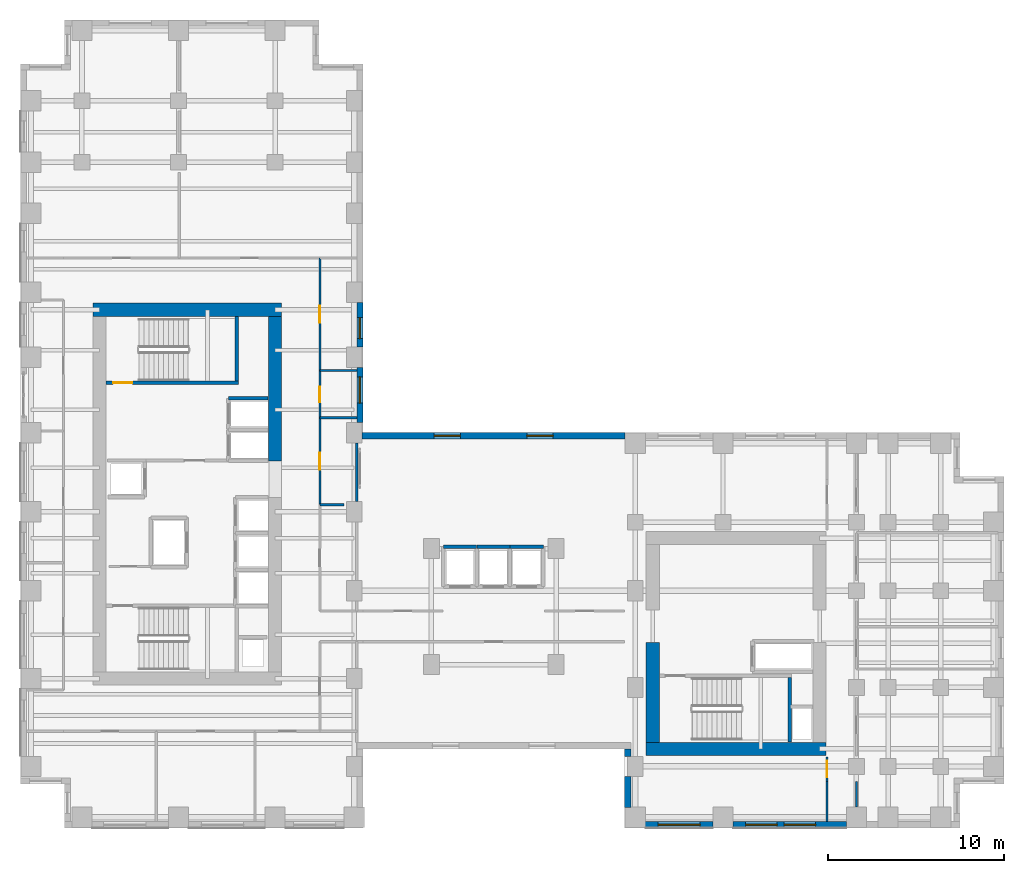
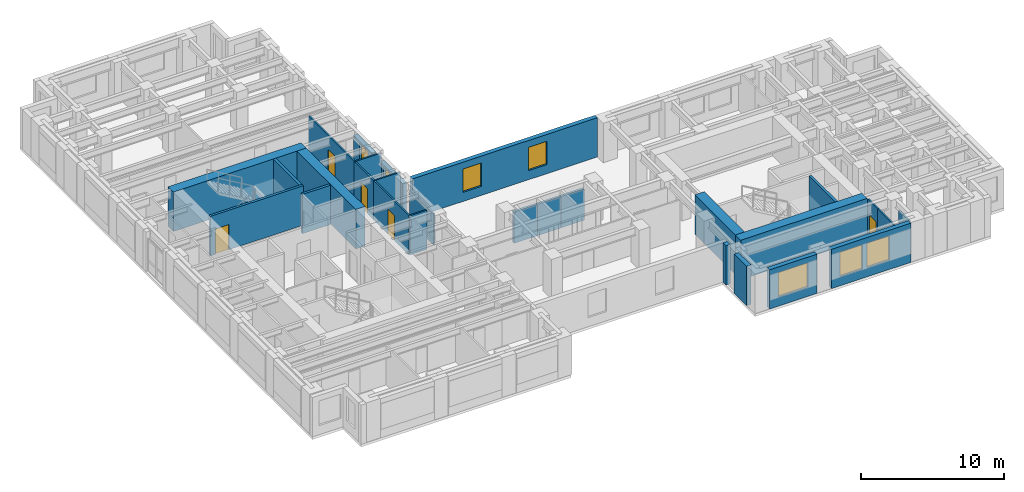
# One storey, part 9 of 14: 28 walls, 7 windows, 5 doors, 12 openings.
"""IFC4 building model written with IfcOpenShell, lengths in metres."""

from ifc_helpers import new_model, si_unit, direction, frame, frame_2d, origin, place, context, subcontext, project, spatial, rectangle, extrude, source, transform, mapped, material, layer, layer_set, type_object, element, fill, save


model = new_model("IFC4")

# Units and contexts
model_context = context("Model", 3, precision=1e-05, world=origin(), true_north=direction((0.0, 1.0)))
body_context = subcontext(model_context, "Body", "Model", "MODEL_VIEW")
ifc_project = project(units=[si_unit("LENGTHUNIT", "METRE"), si_unit("AREAUNIT", "SQUARE_METRE"), si_unit("VOLUMEUNIT", "CUBIC_METRE"), si_unit("PLANEANGLEUNIT", "RADIAN"), si_unit("MASSUNIT", "GRAM", prefix="KILO")], contexts=[model_context])

# Site, building, storey
site_placement = place(None, origin())
site = spatial("IfcSite", under=ifc_project, at=site_placement, CompositionType="ELEMENT")
building_placement = place(site_placement, origin())
building = spatial("IfcBuilding", under=site, at=building_placement, Name="Kharzan Plaza Tower", CompositionType="ELEMENT")
storey_placement = place(building_placement, frame((0.0, 0.0, 81.0)))
storey = spatial("IfcBuildingStorey", under=building, at=storey_placement, Name="L21", CompositionType="ELEMENT", Elevation=81.0)

# Wall, opening, window
ifc_material_1 = material(Name="Concrete C40/50", Category="concrete")
ifc_layer_1 = layer(ifc_material_1, 0.35009765625)
ifc_layer_set_1 = layer_set([ifc_layer_1], Name="Concrete C40/50")
wall_type_1 = type_object("IfcWallType", Name="WL-EXT-MAS-Z2", PredefinedType="SOLIDWALL", material=ifc_layer_set_1)
wall_1_placement = place(storey_placement, frame((35.572998046875, 0.175048828125, 0.0), z_axis=(0.0, 0.0, 1.0), x_axis=(1.0, 0.0, 0.0)))
wall_1 = element("IfcWall", 1, at=wall_1_placement, inside=storey, type_object=wall_type_1, Name="L21 Masonry-Frame Exterior Wall 31", PredefinedType="SOLIDWALL", context=body_context, shape_type="SweptSolid", body=[
    extrude(rectangle(XDim=3.85400390625, YDim=0.35009765625, at=frame_2d((1.927001953125, 0.0))), origin(), (0.0, 0.0, 1.0), 3.364990234375),
])
opening_1_placement = place(wall_1_placement, frame((0.72705078125, 0.0, 0.780029296875)))
opening_1 = element("IfcOpeningElement", 2, at=opening_1_placement, cuts=wall_1, Name="Opening W2", PredefinedType="OPENING", context=body_context, shape_type="SweptSolid", body=[
    extrude(rectangle(XDim=2.39990234375, YDim=2.10009765625, at=frame_2d((1.199951171875, 1.050048828125))), frame((0.0, 0.18505859375, 0.0), z_axis=(0.0, -1.0, 0.0), x_axis=(1.0, 0.0, 0.0)), (0.0, 0.0, 1.0), 0.3701171875),
])
ifc_material_2 = material(Name="Low-E Double Glazing", Category="glass")
window_type_1 = type_object("IfcWindowType", Name="WN-REC-2400x2100", PartitioningType="SINGLE_PANEL", PredefinedType="WINDOW", material=ifc_material_2)
shared_shape_1 = source(origin(), body_context, "Body", "SweptSolid", [
    extrude(rectangle(XDim=2.39990234375, YDim=2.10009765625, at=frame_2d((1.199951171875, 1.050048828125))), frame((0.0, 0.030029296875, 0.0), z_axis=(0.0, -1.0, 0.0), x_axis=(1.0, 0.0, 0.0)), (0.0, 0.0, 1.0), 0.06005859375),
])
window_1_placement = place(opening_1_placement, origin())
window_1 = element("IfcWindow", 3, at=window_1_placement, inside=storey, type_object=window_type_1, Name="L21 Wide Recessed Solar-Control Window 31-1", OverallHeight=2.10009765625, OverallWidth=2.39990234375, PartitioningType="SINGLE_PANEL", PredefinedType="WINDOW", context=body_context, shape_type="MappedRepresentation", body=[
    mapped(shared_shape_1, transform((0.0, 0.0, 0.0), x_axis=(1.0, 0.0, 0.0), y_axis=(0.0, 1.0, 0.0), z_axis=(0.0, 0.0, 1.0))),
])
fill(opening_1, window_1)

# Wall, openings, windows
wall_2_placement = place(storey_placement, frame((40.572998046875, 0.175048828125, 0.0), z_axis=(0.0, 0.0, 1.0), x_axis=(1.0, 0.0, 0.0)))
wall_2 = element("IfcWall", 4, at=wall_2_placement, inside=storey, type_object=wall_type_1, Name="L21 Masonry-Frame Exterior Wall 32", PredefinedType="SOLIDWALL", context=body_context, shape_type="SweptSolid", body=[
    extrude(rectangle(XDim=6.4541015625, YDim=0.35009765625, at=frame_2d((3.22705078125, 0.0))), origin(), (0.0, 0.0, 1.0), 3.364990234375),
])
opening_2_placement = place(wall_2_placement, frame((0.71240234375, 0.0, 0.780029296875)))
opening_2 = element("IfcOpeningElement", 5, at=opening_2_placement, cuts=wall_2, Name="Opening W1", PredefinedType="OPENING", context=body_context, shape_type="SweptSolid", body=[
    extrude(rectangle(XDim=1.800048828125, YDim=2.10009765625, at=frame_2d((0.89990234375, 1.050048828125))), frame((0.0, 0.18505859375, 0.0), z_axis=(0.0, -1.0, 0.0), x_axis=(1.0, 0.0, 0.0)), (0.0, 0.0, 1.0), 0.3701171875),
])
opening_3_placement = place(wall_2_placement, frame((2.90478515625, 0.0, 0.780029296875)))
opening_3 = element("IfcOpeningElement", 6, at=opening_3_placement, cuts=wall_2, Name="Opening W1", PredefinedType="OPENING", context=body_context, shape_type="SweptSolid", body=[
    extrude(rectangle(XDim=1.800048828125, YDim=2.10009765625, at=frame_2d((0.89990234375, 1.050048828125))), frame((0.0, 0.18505859375, 0.0), z_axis=(0.0, -1.0, 0.0), x_axis=(1.0, 0.0, 0.0)), (0.0, 0.0, 1.0), 0.3701171875),
])
window_type_2 = type_object("IfcWindowType", Name="WN-REC-1800x2100", PartitioningType="SINGLE_PANEL", PredefinedType="WINDOW", material=ifc_material_2)
shared_shape_2 = source(origin(), body_context, "Body", "SweptSolid", [
    extrude(rectangle(XDim=1.800048828125, YDim=2.10009765625, at=frame_2d((0.89990234375, 1.050048828125))), frame((0.0, 0.030029296875, 0.0), z_axis=(0.0, -1.0, 0.0), x_axis=(1.0, 0.0, 0.0)), (0.0, 0.0, 1.0), 0.06005859375),
])
window_2_placement = place(opening_2_placement, origin())
window_2 = element("IfcWindow", 7, at=window_2_placement, inside=storey, type_object=window_type_2, Name="L21 Recessed Solar-Control Window 32-1", OverallHeight=2.10009765625, OverallWidth=1.800048828125, PartitioningType="SINGLE_PANEL", PredefinedType="WINDOW", context=body_context, shape_type="MappedRepresentation", body=[
    mapped(shared_shape_2, transform((0.0, 0.0, 0.0), x_axis=(1.0, 0.0, 0.0), y_axis=(0.0, 1.0, 0.0), z_axis=(0.0, 0.0, 1.0))),
])
fill(opening_2, window_2)
window_3_placement = place(opening_3_placement, origin())
window_3 = element("IfcWindow", 8, at=window_3_placement, inside=storey, type_object=window_type_2, Name="L21 Recessed Solar-Control Window 32-2", OverallHeight=2.10009765625, OverallWidth=1.800048828125, PartitioningType="SINGLE_PANEL", PredefinedType="WINDOW", context=body_context, shape_type="MappedRepresentation", body=[
    mapped(shared_shape_2, transform((0.0, 0.0, 0.0), x_axis=(1.0, 0.0, 0.0), y_axis=(0.0, 1.0, 0.0), z_axis=(0.0, 0.0, 1.0))),
])
fill(opening_3, window_3)

wall_3_placement = place(storey_placement, frame((34.427001953125, 22.324951171875, 0.0), z_axis=(0.0, 0.0, 1.0), x_axis=(-1.0, 0.0, 0.0)))
wall_3 = element("IfcWall", 9, at=wall_3_placement, inside=storey, type_object=wall_type_1, Name="L21 Masonry-Frame Exterior Wall 49", PredefinedType="SOLIDWALL", context=body_context, shape_type="SweptSolid", body=[
    extrude(rectangle(XDim=14.97900390625, YDim=0.35009765625, at=frame_2d((7.489501953125, 0.0))), origin(), (0.0, 0.0, 1.0), 3.364990234375),
])
opening_4_placement = place(wall_3_placement, frame((4.099609375, 0.0, 0.780029296875)))
opening_4 = element("IfcOpeningElement", 10, at=opening_4_placement, cuts=wall_3, Name="Opening W5", PredefinedType="OPENING", context=body_context, shape_type="SweptSolid", body=[
    extrude(rectangle(XDim=1.5, YDim=2.0, at=frame_2d((0.75, 1.0))), frame((0.0, 0.18505859375, 0.0), z_axis=(0.0, -1.0, 0.0), x_axis=(1.0, 0.0, 0.0)), (0.0, 0.0, 1.0), 0.3701171875),
])
opening_5_placement = place(wall_3_placement, frame((9.37939453125, 0.0, 0.780029296875)))
opening_5 = element("IfcOpeningElement", 11, at=opening_5_placement, cuts=wall_3, Name="Opening W5", PredefinedType="OPENING", context=body_context, shape_type="SweptSolid", body=[
    extrude(rectangle(XDim=1.5, YDim=2.0, at=frame_2d((0.75, 1.0))), frame((0.0, 0.18505859375, 0.0), z_axis=(0.0, -1.0, 0.0), x_axis=(1.0, 0.0, 0.0)), (0.0, 0.0, 1.0), 0.3701171875),
])
window_type_3 = type_object("IfcWindowType", Name="WN-SLT-1500x2000", PartitioningType="SINGLE_PANEL", PredefinedType="WINDOW", material=ifc_material_2)
shared_shape_3 = source(origin(), body_context, "Body", "SweptSolid", [
    extrude(rectangle(XDim=1.5, YDim=2.0, at=frame_2d((0.75, 1.0))), frame((0.0, 0.030029296875, 0.0), z_axis=(0.0, -1.0, 0.0), x_axis=(1.0, 0.0, 0.0)), (0.0, 0.0, 1.0), 0.06005859375),
])
window_4_placement = place(opening_4_placement, origin())
window_4 = element("IfcWindow", 12, at=window_4_placement, inside=storey, type_object=window_type_3, Name="L21 Recessed Solar-Control Window 49-1", OverallHeight=2.0, OverallWidth=1.5, PartitioningType="SINGLE_PANEL", PredefinedType="WINDOW", context=body_context, shape_type="MappedRepresentation", body=[
    mapped(shared_shape_3, transform((0.0, 0.0, 0.0), x_axis=(1.0, 0.0, 0.0), y_axis=(0.0, 1.0, 0.0), z_axis=(0.0, 0.0, 1.0))),
])
fill(opening_4, window_4)
window_5_placement = place(opening_5_placement, origin())
window_5 = element("IfcWindow", 13, at=window_5_placement, inside=storey, type_object=window_type_3, Name="L21 Recessed Solar-Control Window 49-2", OverallHeight=2.0, OverallWidth=1.5, PartitioningType="SINGLE_PANEL", PredefinedType="WINDOW", context=body_context, shape_type="MappedRepresentation", body=[
    mapped(shared_shape_3, transform((0.0, 0.0, 0.0), x_axis=(1.0, 0.0, 0.0), y_axis=(0.0, 1.0, 0.0), z_axis=(0.0, 0.0, 1.0))),
])
fill(opening_5, window_5)

# Wall, opening, window
wall_4_placement = place(storey_placement, frame((19.324951171875, 23.072998046875, 0.0), z_axis=(0.0, 0.0, 1.0), x_axis=(0.0, 1.0, 0.0)))
wall_4 = element("IfcWall", 14, at=wall_4_placement, inside=storey, type_object=wall_type_1, Name="L21 Masonry-Frame Exterior Wall 50", PredefinedType="SOLIDWALL", context=body_context, shape_type="SweptSolid", body=[
    extrude(rectangle(XDim=3.154052734375, YDim=0.35009765625, at=frame_2d((1.5771484375, 0.0))), origin(), (0.0, 0.0, 1.0), 2.51904296875),
])
opening_6_placement = place(wall_4_placement, frame((1.10546875, 0.0, 0.780029296875)))
opening_6 = element("IfcOpeningElement", 15, at=opening_6_placement, cuts=wall_4, Name="Opening W5", PredefinedType="OPENING", context=body_context, shape_type="SweptSolid", body=[
    extrude(rectangle(XDim=1.5, YDim=1.55908203125, at=frame_2d((0.75, 0.779541015625))), frame((0.0, 0.18505859375, 0.0), z_axis=(0.0, -1.0, 0.0), x_axis=(1.0, 0.0, 0.0)), (0.0, 0.0, 1.0), 0.3701171875),
])
shared_shape_4 = source(origin(), body_context, "Body", "SweptSolid", [
    extrude(rectangle(XDim=1.5, YDim=1.55908203125, at=frame_2d((0.75, 0.779541015625))), frame((0.0, 0.030029296875, 0.0), z_axis=(0.0, -1.0, 0.0), x_axis=(1.0, 0.0, 0.0)), (0.0, 0.0, 1.0), 0.06005859375),
])
window_6_placement = place(opening_6_placement, origin())
window_6 = element("IfcWindow", 16, at=window_6_placement, inside=storey, type_object=window_type_3, Name="L21 Recessed Solar-Control Window 50-1", OverallHeight=1.55908203125, OverallWidth=1.5, PartitioningType="SINGLE_PANEL", PredefinedType="WINDOW", context=body_context, shape_type="MappedRepresentation", body=[
    mapped(shared_shape_4, transform((0.0, 0.0, 0.0), x_axis=(1.0, 0.0, 0.0), y_axis=(0.0, 1.0, 0.0), z_axis=(0.0, 0.0, 1.0))),
])
fill(opening_6, window_6)

wall_5_placement = place(storey_placement, frame((19.324951171875, 27.373046875, 0.0), z_axis=(0.0, 0.0, 1.0), x_axis=(0.0, 1.0, 0.0)))
wall_5 = element("IfcWall", 17, at=wall_5_placement, inside=storey, type_object=wall_type_1, Name="L21 Masonry-Frame Exterior Wall 51", PredefinedType="SOLIDWALL", context=body_context, shape_type="SweptSolid", body=[
    extrude(rectangle(XDim=2.553955078125, YDim=0.35009765625, at=frame_2d((1.27685546875, 0.0))), origin(), (0.0, 0.0, 1.0), 2.51904296875),
])
opening_7_placement = place(wall_5_placement, frame((0.47998046875, 0.0, 0.780029296875)))
opening_7 = element("IfcOpeningElement", 18, at=opening_7_placement, cuts=wall_5, Name="Opening W3", PredefinedType="OPENING", context=body_context, shape_type="SweptSolid", body=[
    extrude(rectangle(XDim=1.199951171875, YDim=1.55908203125, at=frame_2d((0.60009765625, 0.779541015625))), frame((0.0, 0.18505859375, 0.0), z_axis=(0.0, -1.0, 0.0), x_axis=(1.0, 0.0, 0.0)), (0.0, 0.0, 1.0), 0.3701171875),
])
window_type_4 = type_object("IfcWindowType", Name="WN-REC-1200x2100", PartitioningType="SINGLE_PANEL", PredefinedType="WINDOW", material=ifc_material_2)
shared_shape_5 = source(origin(), body_context, "Body", "SweptSolid", [
    extrude(rectangle(XDim=1.199951171875, YDim=1.55908203125, at=frame_2d((0.60009765625, 0.779541015625))), frame((0.0, 0.030029296875, 0.0), z_axis=(0.0, -1.0, 0.0), x_axis=(1.0, 0.0, 0.0)), (0.0, 0.0, 1.0), 0.06005859375),
])
window_7_placement = place(opening_7_placement, origin())
window_7 = element("IfcWindow", 19, at=window_7_placement, inside=storey, type_object=window_type_4, Name="L21 Recessed Solar-Control Window 51-1", OverallHeight=1.55908203125, OverallWidth=1.199951171875, PartitioningType="SINGLE_PANEL", PredefinedType="WINDOW", context=body_context, shape_type="MappedRepresentation", body=[
    mapped(shared_shape_5, transform((0.0, 0.0, 0.0), x_axis=(1.0, 0.0, 0.0), y_axis=(0.0, 1.0, 0.0), z_axis=(0.0, 0.0, 1.0))),
])
fill(opening_7, window_7)

# Wall, opening, door
ifc_material_3 = material(Name="Fire-Rated Gypsum Board Partition", Category="gypsum")
ifc_layer_2 = layer(ifc_material_3, 0.125)
ifc_layer_set_2 = layer_set([ifc_layer_2], Name="Fire-Rated Gypsum Board Partition")
wall_type_2 = type_object("IfcWallType", Name="WL-INT-PART-125", PredefinedType="PARTITIONING", material=ifc_layer_set_2)
wall_6_placement = place(storey_placement, frame((17.050048828125, 18.39990234375, 0.0), z_axis=(0.0, 0.0, 1.0), x_axis=(0.0, 1.0, 0.0)))
wall_6 = element("IfcWall", 20, at=wall_6_placement, inside=storey, type_object=wall_type_2, Name="L21 Interior Partition SH-AEWN2", PredefinedType="PARTITIONING", context=body_context, shape_type="SweptSolid", body=[
    extrude(rectangle(XDim=4.9501953125, YDim=0.125, at=frame_2d((2.47509765625, 0.0))), origin(), (0.0, 0.0, 1.0), 3.364990234375),
])
opening_8_placement = place(wall_6_placement, frame((2.0, 0.0, 0.0)))
opening_8 = element("IfcOpeningElement", 21, at=opening_8_placement, cuts=wall_6, Name="Opening OD1", PredefinedType="OPENING", context=body_context, shape_type="SweptSolid", body=[
    extrude(rectangle(XDim=0.949951171875, YDim=2.14990234375, at=frame_2d((0.47509765625, 1.074951171875))), frame((0.0, 0.072509765625, 0.0), z_axis=(0.0, -1.0, 0.0), x_axis=(1.0, 0.0, 0.0)), (0.0, 0.0, 1.0), 0.14501953125),
])
ifc_material_4 = material(Name="Acoustic Solid-Core Stained Oak", Category="timber")
door_type_1 = type_object("IfcDoorType", Name="DR-OFF-SINGLE", OperationType="NOTDEFINED", PredefinedType="DOOR", material=ifc_material_4)
shared_shape_6 = source(origin(), body_context, "Body", "SweptSolid", [
    extrude(rectangle(XDim=0.949951171875, YDim=2.14990234375, at=frame_2d((0.47509765625, 1.074951171875))), frame((0.0, 0.02490234375, 0.0), z_axis=(0.0, -1.0, 0.0), x_axis=(1.0, 0.0, 0.0)), (0.0, 0.0, 1.0), 0.050048828125),
])
door_1_placement = place(opening_8_placement, origin())
door_1 = element("IfcDoor", 22, at=door_1_placement, inside=storey, type_object=door_type_1, Name="L21 Slot Studio Door", OperationType="SINGLE_SWING_RIGHT", OverallHeight=2.14990234375, OverallWidth=0.949951171875, PredefinedType="DOOR", context=body_context, shape_type="MappedRepresentation", body=[
    mapped(shared_shape_6, transform((0.0, 0.0, 0.0), x_axis=(1.0, 0.0, 0.0), y_axis=(0.0, 1.0, 0.0), z_axis=(0.0, 0.0, 1.0))),
])
fill(opening_8, door_1)

wall_7_placement = place(storey_placement, frame((17.050048828125, 26.050048828125, 0.0), z_axis=(0.0, 0.0, 1.0), x_axis=(0.0, 1.0, 0.0)))
wall_7 = element("IfcWall", 23, at=wall_7_placement, inside=storey, type_object=wall_type_2, Name="L21 Interior Partition SH-AEWN3", PredefinedType="PARTITIONING", context=body_context, shape_type="SweptSolid", body=[
    extrude(rectangle(XDim=6.39990234375, YDim=0.125, at=frame_2d((3.199951171875, 0.0))), origin(), (0.0, 0.0, 1.0), 3.364990234375),
])
opening_9_placement = place(wall_7_placement, frame((2.72509765625, 0.0, 0.0)))
opening_9 = element("IfcOpeningElement", 24, at=opening_9_placement, cuts=wall_7, Name="Opening OD1", PredefinedType="OPENING", context=body_context, shape_type="SweptSolid", body=[
    extrude(rectangle(XDim=0.949951171875, YDim=2.14990234375, at=frame_2d((0.47509765625, 1.074951171875))), frame((0.0, 0.072509765625, 0.0), z_axis=(0.0, -1.0, 0.0), x_axis=(1.0, 0.0, 0.0)), (0.0, 0.0, 1.0), 0.14501953125),
])
door_2_placement = place(opening_9_placement, origin())
door_2 = element("IfcDoor", 25, at=door_2_placement, inside=storey, type_object=door_type_1, Name="L21 Staff Tea Point Door", OperationType="SINGLE_SWING_RIGHT", OverallHeight=2.14990234375, OverallWidth=0.949951171875, PredefinedType="DOOR", context=body_context, shape_type="MappedRepresentation", body=[
    mapped(shared_shape_6, transform((0.0, 0.0, 0.0), x_axis=(1.0, 0.0, 0.0), y_axis=(0.0, 1.0, 0.0), z_axis=(0.0, 0.0, 1.0))),
])
fill(opening_9, door_2)

wall_8_placement = place(storey_placement, frame((17.050048828125, 23.35009765625, 0.0), z_axis=(0.0, 0.0, 1.0), x_axis=(0.0, 1.0, 0.0)))
wall_8 = element("IfcWall", 26, at=wall_8_placement, inside=storey, type_object=wall_type_2, Name="L21 Interior Partition SH-AEWW", PredefinedType="PARTITIONING", context=body_context, shape_type="SweptSolid", body=[
    extrude(rectangle(XDim=2.699951171875, YDim=0.125, at=frame_2d((1.35009765625, 0.0))), origin(), (0.0, 0.0, 1.0), 3.364990234375),
])
opening_10_placement = place(wall_8_placement, frame((0.875, 0.0, 0.0)))
opening_10 = element("IfcOpeningElement", 27, at=opening_10_placement, cuts=wall_8, Name="Opening WD1", PredefinedType="OPENING", context=body_context, shape_type="SweptSolid", body=[
    extrude(rectangle(XDim=0.89990234375, YDim=2.14990234375, at=frame_2d((0.449951171875, 1.074951171875))), frame((0.0, 0.072509765625, 0.0), z_axis=(0.0, -1.0, 0.0), x_axis=(1.0, 0.0, 0.0)), (0.0, 0.0, 1.0), 0.14501953125),
])
ifc_material_5 = material(Name="Moisture-Resistant Fire-Rated Laminate", Category="timber")
door_type_2 = type_object("IfcDoorType", Name="DR-WC-900", OperationType="NOTDEFINED", PredefinedType="DOOR", material=ifc_material_5)
shared_shape_7 = source(origin(), body_context, "Body", "SweptSolid", [
    extrude(rectangle(XDim=0.89990234375, YDim=2.14990234375, at=frame_2d((0.449951171875, 1.074951171875))), frame((0.0, 0.02490234375, 0.0), z_axis=(0.0, -1.0, 0.0), x_axis=(1.0, 0.0, 0.0)), (0.0, 0.0, 1.0), 0.050048828125),
])
door_3_placement = place(opening_10_placement, origin())
door_3 = element("IfcDoor", 28, at=door_3_placement, inside=storey, type_object=door_type_2, Name="L21 Wing A Washroom Door", OperationType="SINGLE_SWING_LEFT", OverallHeight=2.14990234375, OverallWidth=0.89990234375, PredefinedType="DOOR", context=body_context, shape_type="MappedRepresentation", body=[
    mapped(shared_shape_7, transform((0.0, 0.0, 0.0), x_axis=(1.0, 0.0, 0.0), y_axis=(0.0, 1.0, 0.0), z_axis=(0.0, 0.0, 1.0))),
])
fill(opening_10, door_3)

wall_9_placement = place(storey_placement, frame((45.919921875, 2.64990234375, 0.0), z_axis=(0.0, 0.0, 1.0), x_axis=(0.0, 1.0, 0.0)))
wall_9 = element("IfcWall", 29, at=wall_9_placement, inside=storey, type_object=wall_type_2, Name="L21 Interior Partition SH-RBSE", PredefinedType="PARTITIONING", context=body_context, shape_type="SweptSolid", body=[
    extrude(rectangle(XDim=1.400146484375, YDim=0.125, at=frame_2d((0.7001953125, 0.0))), origin(), (0.0, 0.0, 1.0), 3.364990234375),
])
opening_11_placement = place(wall_9_placement, frame((0.22509765625, 0.0, 0.0)))
opening_11 = element("IfcOpeningElement", 30, at=opening_11_placement, cuts=wall_9, Name="Opening OD1", PredefinedType="OPENING", context=body_context, shape_type="SweptSolid", body=[
    extrude(rectangle(XDim=0.949951171875, YDim=2.14990234375, at=frame_2d((0.47509765625, 1.074951171875))), frame((0.0, 0.072509765625, 0.0), z_axis=(0.0, -1.0, 0.0), x_axis=(1.0, 0.0, 0.0)), (0.0, 0.0, 1.0), 0.14501953125),
])
door_4_placement = place(opening_11_placement, origin())
door_4 = element("IfcDoor", 31, at=door_4_placement, inside=storey, type_object=door_type_1, Name="L21 South-East Corner Office Door", OperationType="SINGLE_SWING_RIGHT", OverallHeight=2.14990234375, OverallWidth=0.949951171875, PredefinedType="DOOR", context=body_context, shape_type="MappedRepresentation", body=[
    mapped(shared_shape_6, transform((0.0, 0.0, 0.0), x_axis=(1.0, 0.0, 0.0), y_axis=(0.0, 1.0, 0.0), z_axis=(0.0, 0.0, 1.0))),
])
fill(opening_11, door_4)

ifc_material_6 = material(Name="Concrete C50/60", Category="concrete")
ifc_layer_3 = layer(ifc_material_6, 0.199951171875)
ifc_layer_set_3 = layer_set([ifc_layer_3], Name="Concrete C50/60")
wall_type_3 = type_object("IfcWallType", Name="WL-SHAFT-RC200", PredefinedType="SHEAR", material=ifc_layer_set_3)
wall_10_placement = place(storey_placement, frame((4.876953125, 25.344970703125, 0.0), z_axis=(0.0, 0.0, 1.0), x_axis=(1.0, 0.0, 0.0)))
wall_10 = element("IfcWall", 32, at=wall_10_placement, inside=storey, type_object=wall_type_3, Name="L21 Stair ST-2 South RC Shaft Wall", PredefinedType="SHEAR", context=body_context, shape_type="SweptSolid", body=[
    extrude(rectangle(XDim=7.528076171875, YDim=0.199951171875, at=frame_2d((3.76416015625, 0.0))), origin(), (0.0, 0.0, 1.0), 3.3798828125),
])
opening_12_placement = place(wall_10_placement, frame((0.39990234375, 0.0, 0.0)))
opening_12 = element("IfcOpeningElement", 33, at=opening_12_placement, cuts=wall_10, Name="Opening SD1", PredefinedType="OPENING", context=body_context, shape_type="SweptSolid", body=[
    extrude(rectangle(XDim=1.10009765625, YDim=2.14990234375, at=frame_2d((0.550048828125, 1.074951171875))), frame((0.0, 0.10986328125, 0.0), z_axis=(0.0, -1.0, 0.0), x_axis=(1.0, 0.0, 0.0)), (0.0, 0.0, 1.0), 0.219970703125),
])
ifc_material_7 = material(Name="Fire-Rated Hollow Galvanized Steel", Category="steel")
door_type_3 = type_object("IfcDoorType", Name="DR-STAIR-FD120", OperationType="NOTDEFINED", PredefinedType="DOOR", material=ifc_material_7)
shared_shape_8 = source(origin(), body_context, "Body", "SweptSolid", [
    extrude(rectangle(XDim=1.10009765625, YDim=2.14990234375, at=frame_2d((0.550048828125, 1.074951171875))), frame((0.0, 0.02490234375, 0.0), z_axis=(0.0, -1.0, 0.0), x_axis=(1.0, 0.0, 0.0)), (0.0, 0.0, 1.0), 0.050048828125),
])
door_5_placement = place(opening_12_placement, origin())
door_5 = element("IfcDoor", 34, at=door_5_placement, inside=storey, type_object=door_type_3, Name="L21 Stair ST-2 Fire Exit Door", OperationType="SINGLE_SWING_RIGHT", OverallHeight=2.14990234375, OverallWidth=1.10009765625, PredefinedType="DOOR", context=body_context, shape_type="MappedRepresentation", body=[
    mapped(shared_shape_8, transform((0.0, 0.0, 0.0), x_axis=(1.0, 0.0, 0.0), y_axis=(0.0, 1.0, 0.0), z_axis=(0.0, 0.0, 1.0))),
])
fill(opening_12, door_5)

# Walls
shared_shape_9 = source(origin(), body_context, "Body", "SweptSolid", [
    extrude(rectangle(XDim=2.2978515625, YDim=0.125, at=frame_2d((1.14892578125, 0.0))), origin(), (0.0, 0.0, 1.0), 3.364990234375),
])
wall_11_placement = place(storey_placement, frame((45.919921875, 0.35205078125, 0.0), z_axis=(0.0, 0.0, 1.0), x_axis=(0.0, 1.0, 0.0)))
element("IfcWall", 35, at=wall_11_placement, inside=storey, type_object=wall_type_2, Name="L21 Interior Partition SH-RBSE0", PredefinedType="PARTITIONING", context=body_context, shape_type="MappedRepresentation", body=[
    mapped(shared_shape_9, transform((0.0, 0.0, 0.0), x_axis=(1.0, 0.0, 0.0), y_axis=(0.0, 1.0, 0.0), z_axis=(0.0, 0.0, 1.0))),
])
shared_shape_10 = source(origin(), body_context, "Body", "SweptSolid", [
    extrude(rectangle(XDim=2.097900390625, YDim=0.125, at=frame_2d((1.048828125, 0.0))), origin(), (0.0, 0.0, 1.0), 3.364990234375),
])
for number, where, z_axis, x_axis, name in (
    (36, (17.050048828125, 23.35009765625, 0.0), (0.0, 0.0, 1.0), (1.0, 0.0, 0.0), "L21 Interior Partition SH-AEH-233"),
    (37, (17.050048828125, 26.050048828125, 0.0), (0.0, 0.0, 1.0), (1.0, 0.0, 0.0), "L21 Interior Partition SH-AEH-260"),
):
    element("IfcWall", number, at=place(storey_placement, frame(where, z_axis=z_axis, x_axis=x_axis)), inside=storey, type_object=wall_type_2, Name=name, PredefinedType="PARTITIONING", context=body_context, shape_type="MappedRepresentation", body=[
        mapped(shared_shape_10, transform((0.0, 0.0, 0.0), x_axis=(1.0, 0.0, 0.0), y_axis=(0.0, 1.0, 0.0), z_axis=(0.0, 0.0, 1.0))),
    ])
shared_shape_11 = source(origin(), body_context, "Body", "SweptSolid", [
    extrude(rectangle(XDim=1.75390625, YDim=0.35009765625, at=frame_2d((0.876953125, 0.0))), origin(), (0.0, 0.0, 1.0), 3.364990234375),
])
wall_12_placement = place(storey_placement, frame((34.574951171875, 2.927001953125, 0.0), z_axis=(0.0, 0.0, 1.0), x_axis=(0.0, -1.0, 0.0)))
element("IfcWall", 38, at=wall_12_placement, inside=storey, type_object=wall_type_1, Name="L21 Masonry-Frame Exterior Wall 30", PredefinedType="SOLIDWALL", context=body_context, shape_type="MappedRepresentation", body=[
    mapped(shared_shape_11, transform((0.0, 0.0, 0.0), x_axis=(1.0, 0.0, 0.0), y_axis=(0.0, 1.0, 0.0), z_axis=(0.0, 0.0, 1.0))),
])
shared_shape_12 = source(origin(), body_context, "Body", "SweptSolid", [
    extrude(rectangle(XDim=0.428955078125, YDim=0.35009765625, at=frame_2d((0.21435546875, 0.0))), origin(), (0.0, 0.0, 1.0), 3.364990234375),
])
wall_13_placement = place(storey_placement, frame((34.574951171875, 4.501953125, 0.0), z_axis=(0.0, 0.0, 1.0), x_axis=(0.0, -1.0, 0.0)))
element("IfcWall", 39, at=wall_13_placement, inside=storey, type_object=wall_type_1, Name="L21 Masonry-Frame Exterior Wall 29", PredefinedType="SOLIDWALL", context=body_context, shape_type="MappedRepresentation", body=[
    mapped(shared_shape_12, transform((0.0, 0.0, 0.0), x_axis=(1.0, 0.0, 0.0), y_axis=(0.0, 1.0, 0.0), z_axis=(0.0, 0.0, 1.0))),
])
shared_shape_13 = source(origin(), body_context, "Body", "SweptSolid", [
    extrude(rectangle(XDim=3.31982421875, YDim=0.125, at=frame_2d((1.659912109375, 0.0))), origin(), (0.0, 0.0, 1.0), 2.677001953125),
])
wall_14_placement = place(storey_placement, frame((19.14990234375, 18.590087890625, 0.0), z_axis=(0.0, 0.0, 1.0), x_axis=(0.0, 1.0, 0.0)))
element("IfcWall", 40, at=wall_14_placement, inside=storey, type_object=wall_type_2, Name="L21 Interior Partition SH-AEN-DIV-S3", PredefinedType="PARTITIONING", context=body_context, shape_type="MappedRepresentation", body=[
    mapped(shared_shape_13, transform((0.0, 0.0, 0.0), x_axis=(1.0, 0.0, 0.0), y_axis=(0.0, 1.0, 0.0), z_axis=(0.0, 0.0, 1.0))),
])
ifc_layer_4 = layer(ifc_material_1, 0.199951171875)
ifc_layer_set_4 = layer_set([ifc_layer_4], Name="Concrete C40/50")
wall_type_4 = type_object("IfcWallType", Name="WL-INT-SHAFT-200", PredefinedType="PARTITIONING", material=ifc_layer_set_4)
shared_shape_14 = source(origin(), body_context, "Body", "SweptSolid", [
    extrude(rectangle(XDim=2.264892578125, YDim=0.199951171875, at=frame_2d((1.13232421875, 0.0))), origin(), (0.0, 0.0, 1.0), 3.364990234375),
])
wall_15_placement = place(storey_placement, frame((11.830078125, 24.4599609375, 0.0), z_axis=(0.0, 0.0, 1.0), x_axis=(1.0, 0.0, 0.0)))
element("IfcWall", 41, at=wall_15_placement, inside=storey, type_object=wall_type_4, Name="L21 Interior Partition SHF-FFL-2-N", PredefinedType="PARTITIONING", context=body_context, shape_type="MappedRepresentation", body=[
    mapped(shared_shape_14, transform((0.0, 0.0, 0.0), x_axis=(1.0, 0.0, 0.0), y_axis=(0.0, 1.0, 0.0), z_axis=(0.0, 0.0, 1.0))),
])
shared_shape_15 = source(origin(), body_context, "Body", "SweptSolid", [
    extrude(rectangle(XDim=1.889892578125, YDim=0.199951171875, at=frame_2d((0.94482421875, 0.0))), origin(), (0.0, 0.0, 1.0), 2.677001953125),
])
wall_16_placement = place(storey_placement, frame((24.080078125, 16.02001953125, 0.0), z_axis=(0.0, 0.0, 1.0), x_axis=(1.0, 0.0, 0.0)))
element("IfcWall", 42, at=wall_16_placement, inside=storey, type_object=wall_type_4, Name="L21 Interior Partition SHF-PL-M1-N", PredefinedType="PARTITIONING", context=body_context, shape_type="MappedRepresentation", body=[
    mapped(shared_shape_15, transform((0.0, 0.0, 0.0), x_axis=(1.0, 0.0, 0.0), y_axis=(0.0, 1.0, 0.0), z_axis=(0.0, 0.0, 1.0))),
])
shared_shape_16 = source(origin(), body_context, "Body", "SweptSolid", [
    extrude(rectangle(XDim=1.89013671875, YDim=0.199951171875, at=frame_2d((0.945068359375, 0.0))), origin(), (0.0, 0.0, 1.0), 2.677001953125),
])
for number, where, z_axis, x_axis, name in (
    (43, (25.97998046875, 16.02001953125, 0.0), (0.0, 0.0, 1.0), (1.0, 0.0, 0.0), "L21 Interior Partition SHF-PL-M2-N"),
    (44, (27.8798828125, 16.02001953125, 0.0), (0.0, 0.0, 1.0), (1.0, 0.0, 0.0), "L21 Interior Partition SHF-PL-M3-N"),
):
    element("IfcWall", number, at=place(storey_placement, frame(where, z_axis=z_axis, x_axis=x_axis)), inside=storey, type_object=wall_type_4, Name=name, PredefinedType="PARTITIONING", context=body_context, shape_type="MappedRepresentation", body=[
        mapped(shared_shape_16, transform((0.0, 0.0, 0.0), x_axis=(1.0, 0.0, 0.0), y_axis=(0.0, 1.0, 0.0), z_axis=(0.0, 0.0, 1.0))),
    ])
ifc_material_8 = material(Name="Concrete C60/75", Category="concrete")
ifc_layer_5 = layer(ifc_material_8, 0.75)
ifc_layer_set_5 = layer_set([ifc_layer_5], Name="Concrete C60/75")
wall_type_5 = type_object("IfcWallType", Name="WL-CORE-750", PredefinedType="SHEAR", material=ifc_layer_set_5)
shared_shape_17 = source(origin(), body_context, "Body", "SweptSolid", [
    extrude(rectangle(XDim=8.2451171875, YDim=0.75, at=frame_2d((4.12255859375, 0.0))), origin(), (0.0, 0.0, 1.0), 3.3798828125),
])
wall_17_placement = place(storey_placement, frame((14.5, 20.8798828125, 0.0), z_axis=(0.0, 0.0, 1.0), x_axis=(0.0, 1.0, 0.0)))
element("IfcWall", 45, at=wall_17_placement, inside=storey, type_object=wall_type_5, Name="L21 CORE-A east shear pier 2", PredefinedType="SHEAR", context=body_context, shape_type="MappedRepresentation", body=[
    mapped(shared_shape_17, transform((0.0, 0.0, 0.0), x_axis=(1.0, 0.0, 0.0), y_axis=(0.0, 1.0, 0.0), z_axis=(0.0, 0.0, 1.0))),
])
shared_shape_18 = source(origin(), body_context, "Body", "SweptSolid", [
    extrude(rectangle(XDim=10.75, YDim=0.75, at=frame_2d((5.375, 0.0))), origin(), (0.0, 0.0, 1.0), 3.3798828125),
])
wall_18_placement = place(storey_placement, frame((4.125, 29.5, 0.0), z_axis=(0.0, 0.0, 1.0), x_axis=(1.0, 0.0, 0.0)))
element("IfcWall", 46, at=wall_18_placement, inside=storey, type_object=wall_type_5, Name="L21 CORE-A north RC shear wall", PredefinedType="SHEAR", context=body_context, shape_type="MappedRepresentation", body=[
    mapped(shared_shape_18, transform((0.0, 0.0, 0.0), x_axis=(1.0, 0.0, 0.0), y_axis=(0.0, 1.0, 0.0), z_axis=(0.0, 0.0, 1.0))),
])
shared_shape_19 = source(origin(), body_context, "Body", "SweptSolid", [
    extrude(rectangle(XDim=5.675048828125, YDim=0.75, at=frame_2d((2.83740234375, 0.0))), origin(), (0.0, 0.0, 1.0), 3.3798828125),
])
wall_19_placement = place(storey_placement, frame((36.0, 4.875, 0.0), z_axis=(0.0, 0.0, 1.0), x_axis=(0.0, 1.0, 0.0)))
element("IfcWall", 47, at=wall_19_placement, inside=storey, type_object=wall_type_5, Name="L21 CORE-B west shear pier 1", PredefinedType="SHEAR", context=body_context, shape_type="MappedRepresentation", body=[
    mapped(shared_shape_19, transform((0.0, 0.0, 0.0), x_axis=(1.0, 0.0, 0.0), y_axis=(0.0, 1.0, 0.0), z_axis=(0.0, 0.0, 1.0))),
])
shared_shape_20 = source(origin(), body_context, "Body", "SweptSolid", [
    extrude(rectangle(XDim=10.25, YDim=0.75, at=frame_2d((5.125, 0.0))), origin(), (0.0, 0.0, 1.0), 3.3798828125),
])
wall_20_placement = place(storey_placement, frame((35.625, 4.5, 0.0), z_axis=(0.0, 0.0, 1.0), x_axis=(1.0, 0.0, 0.0)))
element("IfcWall", 48, at=wall_20_placement, inside=storey, type_object=wall_type_5, Name="L21 CORE-B south RC shear wall", PredefinedType="SHEAR", context=body_context, shape_type="MappedRepresentation", body=[
    mapped(shared_shape_20, transform((0.0, 0.0, 0.0), x_axis=(1.0, 0.0, 0.0), y_axis=(0.0, 1.0, 0.0), z_axis=(0.0, 0.0, 1.0))),
])
shared_shape_21 = source(origin(), body_context, "Body", "SweptSolid", [
    extrude(rectangle(XDim=1.35986328125, YDim=0.125, at=frame_2d((0.679931640625, 0.0))), origin(), (0.0, 0.0, 1.0), 3.364990234375),
])
wall_21_placement = place(storey_placement, frame((17.050048828125, 18.39990234375, 0.0), z_axis=(0.0, 0.0, 1.0), x_axis=(1.0, 0.0, 0.0)))
element("IfcWall", 49, at=wall_21_placement, inside=storey, type_object=wall_type_2, Name="L21 Interior Partition SH-AEH-184", PredefinedType="PARTITIONING", context=body_context, shape_type="MappedRepresentation", body=[
    mapped(shared_shape_21, transform((0.0, 0.0, 0.0), x_axis=(1.0, 0.0, 0.0), y_axis=(0.0, 1.0, 0.0), z_axis=(0.0, 0.0, 1.0))),
])
shared_shape_22 = source(origin(), body_context, "Body", "SweptSolid", [
    extrude(rectangle(XDim=1.4599609375, YDim=0.125, at=frame_2d((0.72998046875, 0.0))), origin(), (0.0, 0.0, 1.0), 2.677001953125),
])
wall_22_placement = place(storey_placement, frame((47.60009765625, 1.18994140625, 0.0), z_axis=(0.0, 0.0, 1.0), x_axis=(0.0, 1.0, 0.0)))
element("IfcWall", 50, at=wall_22_placement, inside=storey, type_object=wall_type_2, Name="L21 Interior Partition SH-B1W0S", PredefinedType="PARTITIONING", context=body_context, shape_type="MappedRepresentation", body=[
    mapped(shared_shape_22, transform((0.0, 0.0, 0.0), x_axis=(1.0, 0.0, 0.0), y_axis=(0.0, 1.0, 0.0), z_axis=(0.0, 0.0, 1.0))),
])
shared_shape_23 = source(origin(), body_context, "Body", "SweptSolid", [
    extrude(rectangle(XDim=3.677978515625, YDim=0.199951171875, at=frame_2d((1.8388671875, 0.0))), origin(), (0.0, 0.0, 1.0), 3.3798828125),
])
for number, where, z_axis, x_axis, name in (
    (51, (12.304931640625, 25.445068359375, 0.0), (0.0, 0.0, 1.0), (0.0, 1.0, 0.0), "L21 Stair ST-2 East RC Shaft Wall"),
    (52, (43.804931640625, 4.876953125, 0.0), (0.0, 0.0, 1.0), (0.0, 1.0, 0.0), "L21 Stair ST-3 East RC Shaft Wall"),
):
    element("IfcWall", number, at=place(storey_placement, frame(where, z_axis=z_axis, x_axis=x_axis)), inside=storey, type_object=wall_type_3, Name=name, PredefinedType="SHEAR", context=body_context, shape_type="MappedRepresentation", body=[
        mapped(shared_shape_23, transform((0.0, 0.0, 0.0), x_axis=(1.0, 0.0, 0.0), y_axis=(0.0, 1.0, 0.0), z_axis=(0.0, 0.0, 1.0))),
    ])

save(model, "model.ifc")
